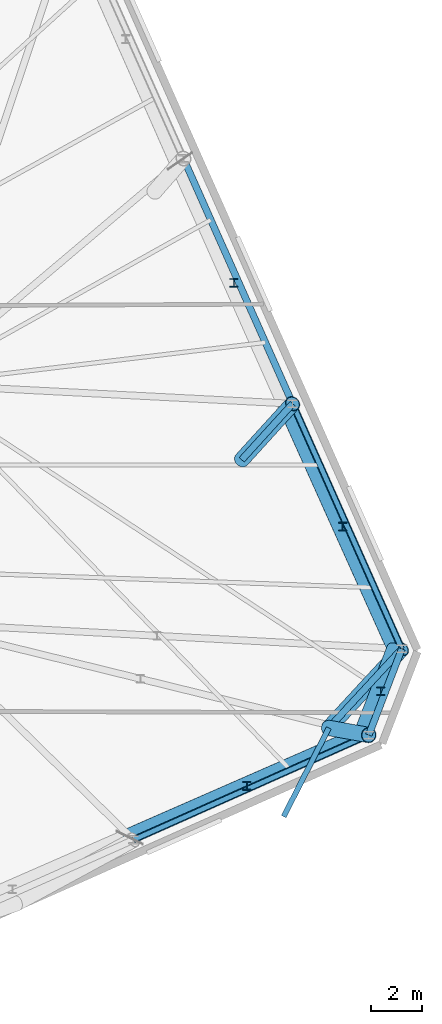
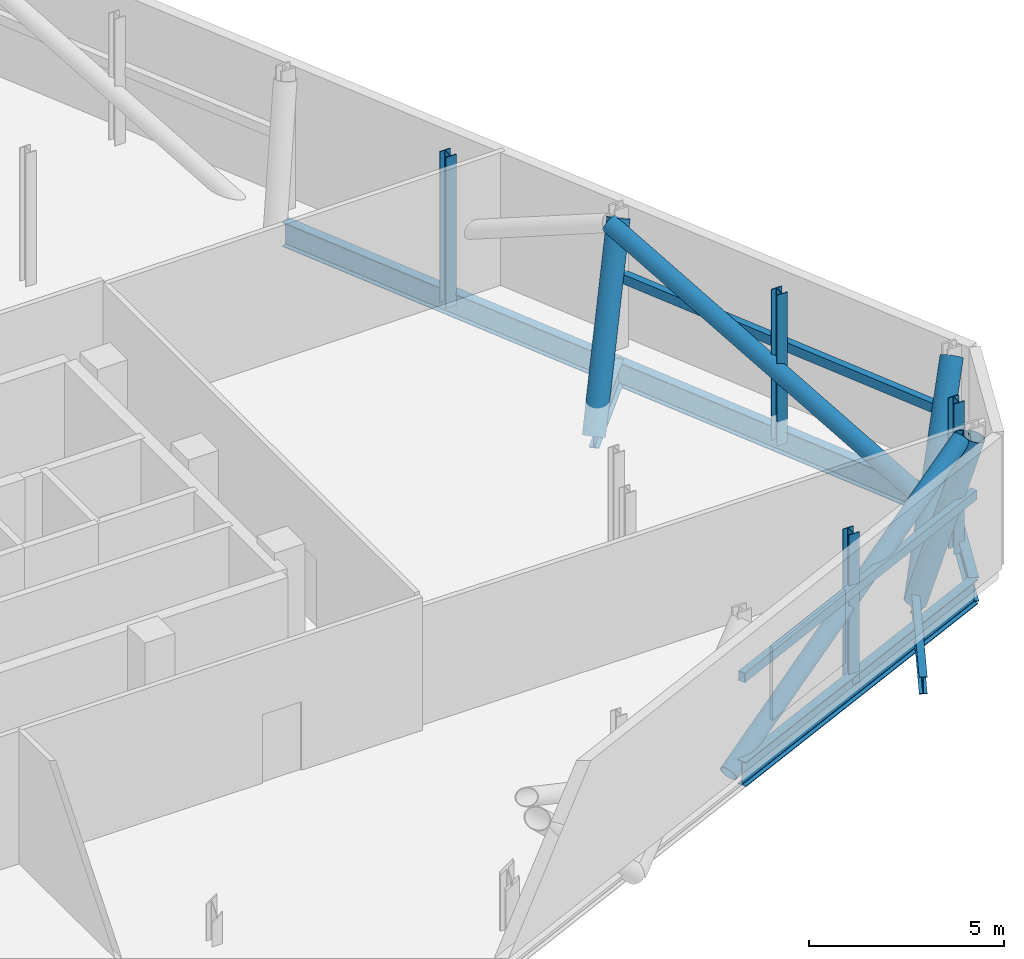
# One storey, part 8 of 15: 12 members, 7 beams.
"""IFC4 building model written with IfcOpenShell, lengths in metres."""

from ifc_helpers import new_model, si_unit, direction, frame, origin, origin_2d, place, context, subcontext, project, spatial, hollow_rectangle, hollow_circle, i_section, extrude, material, material_profile, profile_set, type_object, element, save


model = new_model("IFC4")

# Units and contexts
model_context = context("Model", 3, precision=1e-05, world=origin(), true_north=direction((0.0, 1.0)))
body_context = subcontext(model_context, "Body", "Model", "MODEL_VIEW")
ifc_project = project(units=[si_unit("LENGTHUNIT", "METRE"), si_unit("AREAUNIT", "SQUARE_METRE"), si_unit("VOLUMEUNIT", "CUBIC_METRE"), si_unit("PLANEANGLEUNIT", "RADIAN"), si_unit("MASSUNIT", "GRAM", prefix="KILO")], contexts=[model_context])

# Site, building, storey
site_placement = place(None, origin())
site = spatial("IfcSite", under=ifc_project, at=site_placement, CompositionType="ELEMENT")
building_placement = place(site_placement, origin())
building = spatial("IfcBuilding", under=site, at=building_placement, Name="Menara Jurai Vektor", CompositionType="ELEMENT")
storey_placement = place(building_placement, frame((0.0, 0.0, 254.449951171875)))
storey = spatial("IfcBuildingStorey", under=building, at=storey_placement, Name="L68", CompositionType="ELEMENT", Elevation=254.449951171875)

# Beams
ifc_material_1 = material(Name="Steel S355", Category="steel")
ifc_material_profile_1 = material_profile(ifc_material_1, i_section(OverallWidth=0.2109375, OverallDepth=0.5390625, WebThickness=0.011962890625, FlangeThickness=0.01904296875, FilletRadius=0.012939453125, at=origin_2d()), Name="UKB 533x210x109")
ifc_profile_set_1 = profile_set([ifc_material_profile_1], Name="Steel S355")
beam_type_1 = type_object("IfcBeamType", Name="STR-BM-533", PredefinedType="BEAM", material=ifc_profile_set_1)
beam_1_placement = place(storey_placement, frame((29.7333984375, -12.14501953125, -0.674560546875), z_axis=(0.454050785633, 0.890975804423, 0.0), x_axis=(-0.890975804423, 0.454050785633, 0.0)))
element("IfcBeam", 1, at=beam_1_placement, inside=storey, type_object=beam_type_1, Name="Step Terrace Edge Beam L68-06", PredefinedType="BEAM", context=body_context, shape_type="SweptSolid", body=[
    extrude(i_section(OverallWidth=0.2109375, OverallDepth=0.5390625, WebThickness=0.011962890625, FlangeThickness=0.01904296875, FilletRadius=0.012939453125, at=origin_2d()), origin(), (0.0, 0.0, 1.0), 3.92041015625),
])
ifc_material_2 = material(Name="Steel S460", Category="steel")
ifc_material_profile_2 = material_profile(ifc_material_2, i_section(OverallWidth=0.26806640625, OverallDepth=0.77001953125, WebThickness=0.01611328125, FlangeThickness=0.02490234375, FilletRadius=0.01708984375, at=origin_2d()), Name="UKB 762x267x197")
ifc_profile_set_2 = profile_set([ifc_material_profile_2], Name="Steel S460")
beam_type_2 = type_object("IfcBeamType", Name="STR-BM-TR762", PredefinedType="BEAM", material=ifc_profile_set_2)
beam_2_placement = place(storey_placement, frame((23.814697265625, -13.061767578125, -0.7900390625), z_axis=(0.913541582548, 0.406745346568, 0.0), x_axis=(-0.406745346568, 0.913541582548, 0.0)))
element("IfcBeam", 2, at=beam_2_placement, inside=storey, type_object=beam_type_2, Name="Belt Truss Bottom Chord L68-05", PredefinedType="BEAM", context=body_context, shape_type="SweptSolid", body=[
    extrude(i_section(OverallWidth=0.26806640625, OverallDepth=0.77001953125, WebThickness=0.01611328125, FlangeThickness=0.02490234375, FilletRadius=0.01708984375, at=origin_2d()), origin(), (0.0, 0.0, 1.0), 10.151123046875),
])
beam_3_placement = place(storey_placement, frame((33.088134765625, -8.932861328125, -0.7900390625), z_axis=(0.358335850414, 0.933592747566, 0.0), x_axis=(-0.933592747566, 0.358335850414, 0.0)))
element("IfcBeam", 3, at=beam_3_placement, inside=storey, type_object=beam_type_2, Name="Belt Truss Bottom Chord L68-06", PredefinedType="BEAM", context=body_context, shape_type="SweptSolid", body=[
    extrude(i_section(OverallWidth=0.26806640625, OverallDepth=0.77001953125, WebThickness=0.01611328125, FlangeThickness=0.02490234375, FilletRadius=0.01708984375, at=origin_2d()), origin(), (0.0, 0.0, 1.0), 3.637451171875),
])
beam_4_placement = place(storey_placement, frame((34.3916015625, -5.536865234375, -0.7900390625), z_axis=(-0.40673543049, 0.91354599752, 0.0), x_axis=(-0.91354599752, -0.40673543049, 0.0)))
element("IfcBeam", 4, at=beam_4_placement, inside=storey, type_object=beam_type_2, Name="Belt Truss Bottom Chord L68-07", PredefinedType="BEAM", context=body_context, shape_type="SweptSolid", body=[
    extrude(i_section(OverallWidth=0.26806640625, OverallDepth=0.77001953125, WebThickness=0.01611328125, FlangeThickness=0.02490234375, FilletRadius=0.01708984375, at=origin_2d()), origin(), (0.0, 0.0, 1.0), 10.585205078125),
])
beam_5_placement = place(storey_placement, frame((31.513427734375, -8.652099609375, -0.7900390625), z_axis=(0.678607573065, 0.734501029121, 0.0), x_axis=(-0.734501029121, 0.678607573065, 0.0)))
element("IfcBeam", 5, at=beam_5_placement, inside=storey, type_object=beam_type_2, Name="Cantilever Transfer Girder L68-E1", PredefinedType="BEAM", context=body_context, shape_type="SweptSolid", body=[
    extrude(i_section(OverallWidth=0.26806640625, OverallDepth=0.77001953125, WebThickness=0.01611328125, FlangeThickness=0.02490234375, FilletRadius=0.01708984375, at=origin_2d()), origin(), (0.0, 0.0, 1.0), 4.2412109375),
])
beam_6_placement = place(storey_placement, frame((30.086181640625, 4.13330078125, -0.7900390625), z_axis=(-0.406724751578, 0.913550751986, 0.0), x_axis=(-0.913550751986, -0.406724751578, 0.0)))
element("IfcBeam", 6, at=beam_6_placement, inside=storey, type_object=beam_type_2, Name="Belt Truss Bottom Chord L68-08", PredefinedType="BEAM", context=body_context, shape_type="SweptSolid", body=[
    extrude(i_section(OverallWidth=0.26806640625, OverallDepth=0.77001953125, WebThickness=0.01611328125, FlangeThickness=0.02490234375, FilletRadius=0.01708984375, at=origin_2d()), origin(), (0.0, 0.0, 1.0), 10.5849609375),
])
beam_7_placement = place(storey_placement, frame((28.07763671875, 1.92236328125, -0.7900390625), z_axis=(0.672416460023, 0.740173023212, 0.0), x_axis=(-0.740173023212, 0.672416460023, 0.0)))
element("IfcBeam", 7, at=beam_7_placement, inside=storey, type_object=beam_type_2, Name="Cantilever Transfer Girder L68-E2", PredefinedType="BEAM", context=body_context, shape_type="SweptSolid", body=[
    extrude(i_section(OverallWidth=0.26806640625, OverallDepth=0.77001953125, WebThickness=0.01611328125, FlangeThickness=0.02490234375, FilletRadius=0.01708984375, at=origin_2d()), origin(), (0.0, 0.0, 1.0), 2.987060546875),
])

# Members
ifc_material_profile_3 = material_profile(ifc_material_2, hollow_circle(Radius=0.25390625, WallThickness=0.02001953125, at=origin_2d()), Name="CHS 508x20")
ifc_profile_set_3 = profile_set([ifc_material_profile_3], Name="Steel S460")
member_type_1 = type_object("IfcMemberType", Name="STR-BR-508", PredefinedType="BRACE", material=ifc_profile_set_3)
member_1_placement = place(storey_placement, frame((23.51025390625, -12.91015625, -0.7900390625), z_axis=(0.827021983928, 0.36211284997, 0.430010374278), x_axis=(-0.401089106524, 0.916039043179, 0.0)))
element("IfcMember", 8, at=member_1_placement, inside=storey, type_object=member_type_1, Name="Belt Truss Web Diagonal L68-05", PredefinedType="BRACE", context=body_context, shape_type="SweptSolid", body=[
    extrude(hollow_circle(Radius=0.25390625, WallThickness=0.02001953125, at=origin_2d()), origin(), (0.0, 0.0, 1.0), 11.17919921875),
])
member_2_placement = place(storey_placement, frame((34.05322265625, -5.503662109375, -0.7900390625), z_axis=(-0.21605461476, -0.559181049979, 0.800397998989), x_axis=(0.932793989555, -0.360410006868, 0.0)))
element("IfcMember", 9, at=member_2_placement, inside=storey, type_object=member_type_1, Name="Belt Truss Web Diagonal L68-06", PredefinedType="BRACE", context=body_context, shape_type="SweptSolid", body=[
    extrude(hollow_circle(Radius=0.25390625, WallThickness=0.02001953125, at=origin_2d()), origin(), (0.0, 0.0, 1.0), 6.005859375),
])
member_3_placement = place(storey_placement, frame((34.05322265625, -5.503662109375, -0.7900390625), z_axis=(-0.372739104448, 0.829007848016, 0.416907121483), x_axis=(-0.91205091155, -0.410076986359, 0.0)))
element("IfcMember", 10, at=member_3_placement, inside=storey, type_object=member_type_1, Name="Belt Truss Web Diagonal L68-07", PredefinedType="BRACE", context=body_context, shape_type="SweptSolid", body=[
    extrude(hollow_circle(Radius=0.25390625, WallThickness=0.02001953125, at=origin_2d()), origin(), (0.0, 0.0, 1.0), 11.530517578125),
])
ifc_material_profile_4 = material_profile(ifc_material_2, hollow_rectangle(XDim=0.199951171875, YDim=0.300048828125, WallThickness=0.012451171875, at=origin_2d()), Name="RHS 300x200x12.5")
ifc_profile_set_4 = profile_set([ifc_material_profile_4], Name="Steel S460")
member_type_2 = type_object("IfcMemberType", Name="STR-CH-RHS300", PredefinedType="CHORD", material=ifc_profile_set_4)
member_4_placement = place(storey_placement, frame((23.814453125, -13.061767578125, 2.22998046875), z_axis=(0.913545561407, 0.406736410017, 0.0), x_axis=(-0.406736410017, 0.913545561407, 0.0)))
element("IfcMember", 11, at=member_4_placement, inside=storey, type_object=member_type_2, Name="Belt Truss Mid Chord L68-05", PredefinedType="CHORD", context=body_context, shape_type="SweptSolid", body=[
    extrude(hollow_rectangle(XDim=0.199951171875, YDim=0.300048828125, WallThickness=0.012451171875, at=origin_2d()), origin(), (0.0, 0.0, 1.0), 10.1513671875),
])
member_5_placement = place(storey_placement, frame((34.3916015625, -5.536865234375, 2.22998046875), z_axis=(-0.40673543049, 0.91354599752, 0.0), x_axis=(-0.91354599752, -0.40673543049, 0.0)))
element("IfcMember", 12, at=member_5_placement, inside=storey, type_object=member_type_2, Name="Belt Truss Mid Chord L68-07", PredefinedType="CHORD", context=body_context, shape_type="SweptSolid", body=[
    extrude(hollow_rectangle(XDim=0.199951171875, YDim=0.300048828125, WallThickness=0.012451171875, at=origin_2d()), origin(), (0.0, 0.0, 1.0), 10.585205078125),
])
ifc_material_profile_5 = material_profile(ifc_material_2, i_section(OverallWidth=0.31103515625, OverallDepth=0.326904296875, WebThickness=0.01611328125, FlangeThickness=0.02490234375, FilletRadius=0.014892578125, at=origin_2d()), Name="UKC 305x305x158")
ifc_profile_set_5 = profile_set([ifc_material_profile_5], Name="Steel S460")
member_type_3 = type_object("IfcMemberType", Name="STR-POST-305", PredefinedType="POST", material=ifc_profile_set_5)
for number, where, z_axis, x_axis, name in (
    (13, (28.280517578125, -10.94091796875, -0.7548828125), (0.0, 0.0, 1.0), (1.0, 0.0, 0.0), "Belt Truss Vertical Web Post L68-05"),
    (14, (33.56201171875, -7.20751953125, -0.7548828125), (0.0, 0.0, 1.0), (1.0, 0.0, 0.0), "Belt Truss Vertical Web Post L68-06"),
    (15, (32.059326171875, -0.7119140625, -0.7548828125), (0.0, 0.0, 1.0), (1.0, 0.0, 0.0), "Belt Truss Vertical Web Post L68-07"),
    (16, (27.769287109375, 8.89501953125, -0.7548828125), (0.0, 0.0, 1.0), (1.0, 0.0, 0.0), "Belt Truss Vertical Web Post L68-08"),
):
    element("IfcMember", number, at=place(storey_placement, frame(where, z_axis=z_axis, x_axis=x_axis)), inside=storey, type_object=member_type_3, Name=name, PredefinedType="POST", context=body_context, shape_type="SweptSolid", body=[
        extrude(i_section(OverallWidth=0.31103515625, OverallDepth=0.326904296875, WebThickness=0.01611328125, FlangeThickness=0.02490234375, FilletRadius=0.014892578125, at=origin_2d()), origin(), (0.0, 0.0, 1.0), 4.72998046875),
    ])
ifc_material_profile_6 = material_profile(ifc_material_2, hollow_circle(Radius=0.304931640625, WallThickness=0.02490234375, at=origin_2d()), Name="CHS 610x25")
ifc_profile_set_6 = profile_set([ifc_material_profile_6], Name="Steel S460")
member_type_4 = type_object("IfcMemberType", Name="STR-ST-610", PredefinedType="STRUT", material=ifc_profile_set_6)
member_6_placement = place(storey_placement, frame((31.513427734375, -8.652099609375, -0.7900390625), z_axis=(0.310822222601, -0.055417915658, 0.948851095041), x_axis=(0.175526498123, 0.984474706865, 0.0)))
element("IfcMember", 17, at=member_6_placement, inside=storey, type_object=member_type_4, Name="Transfer Outrigger Strut L68-S6", PredefinedType="STRUT", context=body_context, shape_type="SweptSolid", body=[
    extrude(hollow_circle(Radius=0.304931640625, WallThickness=0.02490234375, at=origin_2d()), origin(), (0.0, 0.0, 1.0), 5.066162109375),
])
member_7_placement = place(storey_placement, frame((31.513427734375, -8.652099609375, -0.7900390625), z_axis=(0.448964138306, 0.485943032046, 0.749860368416), x_axis=(-0.734501029121, 0.678607573065, 0.0)))
element("IfcMember", 18, at=member_7_placement, inside=storey, type_object=member_type_4, Name="Transfer Outrigger Strut L68-E1", PredefinedType="STRUT", context=body_context, shape_type="SweptSolid", body=[
    extrude(hollow_circle(Radius=0.304931640625, WallThickness=0.02490234375, at=origin_2d()), origin(), (0.0, 0.0, 1.0), 6.41064453125),
])
member_8_placement = place(storey_placement, frame((28.07763671875, 1.92236328125, -0.7900390625), z_axis=(0.354892153885, 0.390653135479, 0.849377234715), x_axis=(-0.740173023212, 0.672416460023, 0.0)))
element("IfcMember", 19, at=member_8_placement, inside=storey, type_object=member_type_4, Name="Transfer Outrigger Strut L68-E2", PredefinedType="STRUT", context=body_context, shape_type="SweptSolid", body=[
    extrude(hollow_circle(Radius=0.304931640625, WallThickness=0.02490234375, at=origin_2d()), origin(), (0.0, 0.0, 1.0), 5.65966796875),
])

save(model, "model.ifc")
